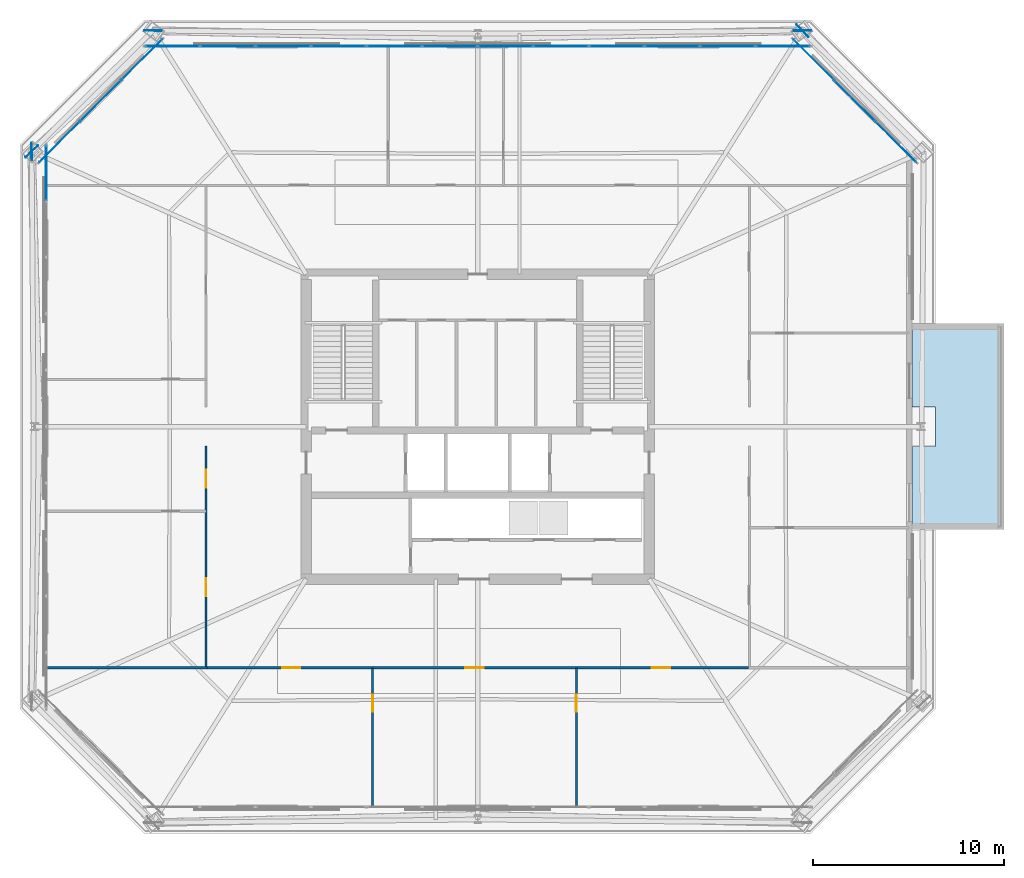
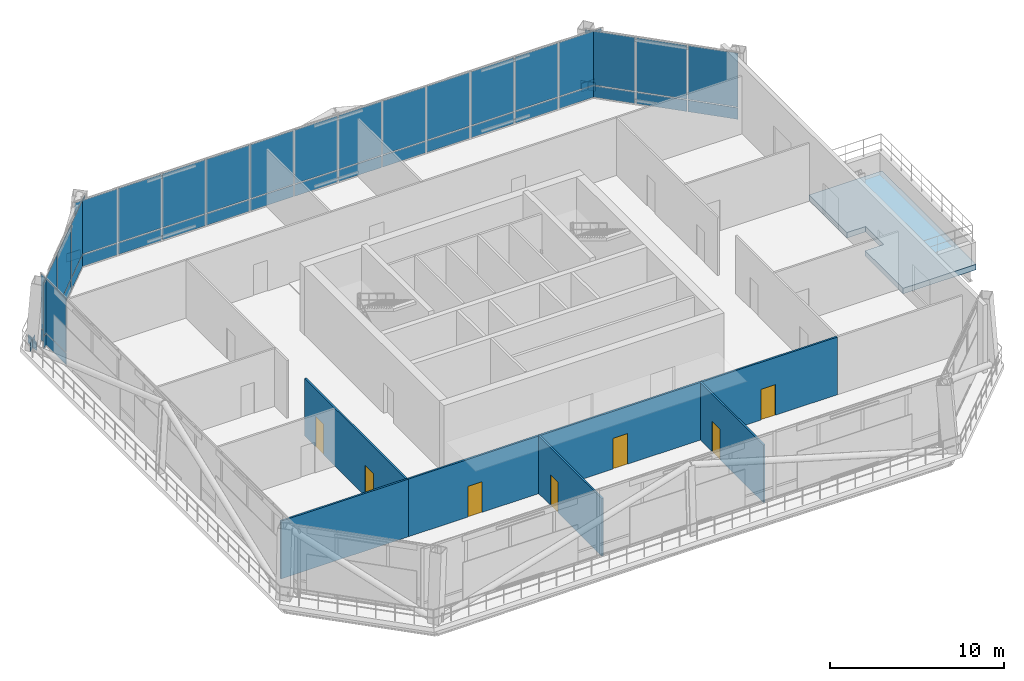
# One storey, part 27 of 34: 43 plates, 7 doors, 5 walls, 1 slab, 7 openings, 4 elements without a shape of their own.
"""IFC4 building model written with IfcOpenShell, lengths in metres."""

from ifc_helpers import new_model, si_unit, direction, frame, frame_2d, origin, origin_2d, place, context, subcontext, project, spatial, polyline, rectangle, outline, extrude, material, layer, layer_set, type_object, element, fill, aggregate, save


model = new_model("IFC4")

# Units and contexts
model_context = context("Model", 3, precision=1e-05, world=origin(), true_north=direction((0.0, 1.0)))
body_context = subcontext(model_context, "Body", "Model", "MODEL_VIEW")
ifc_project = project(units=[si_unit("LENGTHUNIT", "METRE"), si_unit("AREAUNIT", "SQUARE_METRE"), si_unit("VOLUMEUNIT", "CUBIC_METRE"), si_unit("PLANEANGLEUNIT", "RADIAN"), si_unit("MASSUNIT", "GRAM", prefix="KILO")], contexts=[model_context])

# Site, building, storey
site_placement = place(None, origin())
site = spatial("IfcSite", under=ifc_project, at=site_placement, CompositionType="ELEMENT")
building_placement = place(site_placement, origin())
building = spatial("IfcBuilding", under=site, at=building_placement, Name="Caelvoria Tower", CompositionType="ELEMENT")
storey_placement = place(building_placement, frame((0.0, 0.0, 172.0)))
storey = spatial("IfcBuildingStorey", under=building, at=storey_placement, Name="L45", CompositionType="ELEMENT", Elevation=172.0)

# Slab
ifc_material_1 = material(Name="Concrete C50/60", Category="concrete")
ifc_layer_1 = layer(ifc_material_1, 0.3798828125, Name="Concrete C50/60")
ifc_layer_set_1 = layer_set([ifc_layer_1], Name="Cantilevered Sky Pool Basin Slab 380 - Concrete C50/60")
slab_type = type_object("IfcSlabType", Name="Cantilevered Sky Pool Basin Slab 380", PredefinedType="FLOOR", material=ifc_layer_set_1)
slab_placement = place(storey_placement, frame((0.0, 0.0, -0.3798828125)))
element("IfcSlab", 1, at=slab_placement, inside=storey, type_object=slab_type, Name="Level L45 Cantilevered Sky Pool Deck Slab", PredefinedType="FLOOR", context=body_context, shape_type="SweptSolid", body=[
    extrude(outline(polyline([(70.02001953125, 37.39990234375), (68.780029296875, 37.39990234375), (68.780029296875, 33.0400390625), (70.02001953125, 33.0400390625), (70.02001953125, 30.9599609375), (68.780029296875, 30.9599609375), (68.780029296875, 26.60009765625), (70.02001953125, 26.60009765625), (73.6201171875, 26.60009765625), (73.6201171875, 37.39990234375), (70.02001953125, 37.39990234375)])), origin(), (0.0, 0.0, 1.0), 0.3798828125),
])

# Curtain wall, plates
ifc_material_2 = material(Name="Anodised Bronze Aluminium and Low-E Glass", Category="aluminium")
ifc_layer_2 = layer(ifc_material_2, 0.2099609375, Name="Anodised Bronze Aluminium and Low-E Glass")
ifc_layer_set_2 = layer_set([ifc_layer_2], Name="CW System 3 Sky Lobby Double-Height Acoustic Facade - Anodised Bronze Aluminium and Low-E Glass")
curtain_wall_type = type_object("IfcCurtainWallType", Name="CW System 3 Sky Lobby Double-Height Acoustic Facade", PredefinedType="NOTDEFINED", material=ifc_layer_set_2)
curtain_wall_1_placement = place(storey_placement, origin())
curtain_wall_1 = element("IfcCurtainWall", 2, at=curtain_wall_1_placement, inside=storey, type_object=curtain_wall_type, Name="CW-03 Curtain Wall L45-E3", PredefinedType="NOTDEFINED")
ifc_material_3 = material(Name="Anodised Bronze Insulated Aluminium Panel", Category="aluminium")
ifc_layer_3 = layer(ifc_material_3, 0.031982421875, Name="Anodised Bronze Insulated Aluminium Panel")
ifc_layer_set_3 = layer_set([ifc_layer_3], Name="Insulated Bronze Spandrel Curtain Panel 32 - Anodised Bronze Insulated Aluminium Panel")
plate_type_1 = type_object("IfcPlateType", Name="Insulated Bronze Spandrel Curtain Panel 32", PredefinedType="CURTAIN_PANEL", material=ifc_layer_set_3)
plate_1_placement = place(storey_placement, frame((67.945068359375, 46.943359375, 0.06494140625), z_axis=(0.0, 0.0, 1.0), x_axis=(-0.707106781187, 0.707106781187, 0.0)))
plate_1 = element("IfcPlate", 3, at=plate_1_placement, type_object=plate_type_1, Name="CW-03 panel 1.1", PredefinedType="CURTAIN_PANEL", context=body_context, shape_type="SweptSolid", body=[
    extrude(rectangle(XDim=2.968505859375, YDim=0.031982421875, at=origin_2d()), origin(), (0.0, 0.0, 1.0), 0.802490234375),
])
plate_2_placement = place(storey_placement, frame((67.945068359375, 46.943359375, 0.9326171875), z_axis=(0.0, 0.0, 1.0), x_axis=(-0.707106781187, 0.707106781187, 0.0)))
plate_2 = element("IfcPlate", 4, at=plate_2_placement, type_object=plate_type_1, Name="CW-03 panel 1.2", PredefinedType="CURTAIN_PANEL", context=body_context, shape_type="SweptSolid", body=[
    extrude(rectangle(XDim=2.968505859375, YDim=0.031982421875, at=origin_2d()), origin(), (0.0, 0.0, 1.0), 3.762451171875),
])
plate_3_placement = place(storey_placement, frame((65.7841796875, 49.104248046875, 0.06494140625), z_axis=(0.0, 0.0, 1.0), x_axis=(-0.707106781187, 0.707106781187, 0.0)))
plate_3 = element("IfcPlate", 5, at=plate_3_placement, type_object=plate_type_1, Name="CW-03 panel 2.1", PredefinedType="CURTAIN_PANEL", context=body_context, shape_type="SweptSolid", body=[
    extrude(rectangle(XDim=3.003662109375, YDim=0.031982421875, at=origin_2d()), origin(), (0.0, 0.0, 1.0), 0.802490234375),
])
plate_4_placement = place(storey_placement, frame((65.7841796875, 49.104248046875, 0.9326171875), z_axis=(0.0, 0.0, 1.0), x_axis=(-0.707106781187, 0.707106781187, 0.0)))
plate_4 = element("IfcPlate", 6, at=plate_4_placement, type_object=plate_type_1, Name="CW-03 panel 2.2", PredefinedType="CURTAIN_PANEL", context=body_context, shape_type="SweptSolid", body=[
    extrude(rectangle(XDim=3.003662109375, YDim=0.031982421875, at=origin_2d()), origin(), (0.0, 0.0, 1.0), 3.762451171875),
])
plate_5_placement = place(storey_placement, frame((63.623291015625, 51.26513671875, 0.06494140625), z_axis=(0.0, 0.0, 1.0), x_axis=(-0.707106781187, 0.707106781187, 0.0)))
plate_5 = element("IfcPlate", 7, at=plate_5_placement, type_object=plate_type_1, Name="CW-03 panel 3.1", PredefinedType="CURTAIN_PANEL", context=body_context, shape_type="SweptSolid", body=[
    extrude(rectangle(XDim=2.968505859375, YDim=0.031982421875, at=origin_2d()), origin(), (0.0, 0.0, 1.0), 0.802490234375),
])
plate_6_placement = place(storey_placement, frame((63.623291015625, 51.26513671875, 0.9326171875), z_axis=(0.0, 0.0, 1.0), x_axis=(-0.707106781187, 0.707106781187, 0.0)))
plate_6 = element("IfcPlate", 8, at=plate_6_placement, type_object=plate_type_1, Name="CW-03 panel 3.2", PredefinedType="CURTAIN_PANEL", context=body_context, shape_type="SweptSolid", body=[
    extrude(rectangle(XDim=2.968505859375, YDim=0.031982421875, at=origin_2d()), origin(), (0.0, 0.0, 1.0), 3.762451171875),
])
aggregate(curtain_wall_1, [plate_1, plate_2, plate_3, plate_4, plate_5, plate_6])

curtain_wall_2_placement = place(storey_placement, origin())
curtain_wall_2 = element("IfcCurtainWall", 9, at=curtain_wall_2_placement, inside=storey, type_object=curtain_wall_type, Name="CW-03 Curtain Wall L45-E4", PredefinedType="NOTDEFINED")
plate_7_placement = place(storey_placement, frame((62.024169921875, 51.9599609375, 0.06494140625), z_axis=(0.0, 0.0, 1.0), x_axis=(-1.0, 0.0, 0.0)))
plate_7 = element("IfcPlate", 10, at=plate_7_placement, type_object=plate_type_1, Name="CW-03 panel 1.1", PredefinedType="CURTAIN_PANEL", context=body_context, shape_type="SweptSolid", body=[
    extrude(rectangle(XDim=2.811767578125, YDim=0.031982421875, at=origin_2d()), origin(), (0.0, 0.0, 1.0), 0.802490234375),
])
plate_8_placement = place(storey_placement, frame((62.024169921875, 51.9599609375, 0.9326171875), z_axis=(0.0, 0.0, 1.0), x_axis=(-1.0, 0.0, 0.0)))
plate_8 = element("IfcPlate", 11, at=plate_8_placement, type_object=plate_type_1, Name="CW-03 panel 1.2", PredefinedType="CURTAIN_PANEL", context=body_context, shape_type="SweptSolid", body=[
    extrude(rectangle(XDim=2.811767578125, YDim=0.031982421875, at=origin_2d()), origin(), (0.0, 0.0, 1.0), 3.762451171875),
])
plate_9_placement = place(storey_placement, frame((59.125, 51.9599609375, 0.06494140625), z_axis=(0.0, 0.0, 1.0), x_axis=(-1.0, 0.0, 0.0)))
plate_9 = element("IfcPlate", 12, at=plate_9_placement, type_object=plate_type_1, Name="CW-03 panel 2.1", PredefinedType="CURTAIN_PANEL", context=body_context, shape_type="SweptSolid", body=[
    extrude(rectangle(XDim=2.8466796875, YDim=0.031982421875, at=origin_2d()), origin(), (0.0, 0.0, 1.0), 0.802490234375),
])
plate_10_placement = place(storey_placement, frame((59.125, 51.9599609375, 0.9326171875), z_axis=(0.0, 0.0, 1.0), x_axis=(-1.0, 0.0, 0.0)))
plate_10 = element("IfcPlate", 13, at=plate_10_placement, type_object=plate_type_1, Name="CW-03 panel 2.2", PredefinedType="CURTAIN_PANEL", context=body_context, shape_type="SweptSolid", body=[
    extrude(rectangle(XDim=2.8466796875, YDim=0.031982421875, at=origin_2d()), origin(), (0.0, 0.0, 1.0), 3.762451171875),
])
plate_11_placement = place(storey_placement, frame((56.208251953125, 51.9599609375, 0.06494140625), z_axis=(0.0, 0.0, 1.0), x_axis=(-1.0, 0.0, 0.0)))
plate_11 = element("IfcPlate", 14, at=plate_11_placement, type_object=plate_type_1, Name="CW-03 panel 3.1", PredefinedType="CURTAIN_PANEL", context=body_context, shape_type="SweptSolid", body=[
    extrude(rectangle(XDim=2.8466796875, YDim=0.031982421875, at=origin_2d()), origin(), (0.0, 0.0, 1.0), 0.802490234375),
])
plate_12_placement = place(storey_placement, frame((56.208251953125, 51.9599609375, 0.9326171875), z_axis=(0.0, 0.0, 1.0), x_axis=(-1.0, 0.0, 0.0)))
plate_12 = element("IfcPlate", 15, at=plate_12_placement, type_object=plate_type_1, Name="CW-03 panel 3.2", PredefinedType="CURTAIN_PANEL", context=body_context, shape_type="SweptSolid", body=[
    extrude(rectangle(XDim=2.8466796875, YDim=0.031982421875, at=origin_2d()), origin(), (0.0, 0.0, 1.0), 3.762451171875),
])
plate_13_placement = place(storey_placement, frame((53.291748046875, 51.9599609375, 0.06494140625), z_axis=(0.0, 0.0, 1.0), x_axis=(-1.0, 0.0, 0.0)))
plate_13 = element("IfcPlate", 16, at=plate_13_placement, type_object=plate_type_1, Name="CW-03 panel 4.1", PredefinedType="CURTAIN_PANEL", context=body_context, shape_type="SweptSolid", body=[
    extrude(rectangle(XDim=2.8466796875, YDim=0.031982421875, at=origin_2d()), origin(), (0.0, 0.0, 1.0), 0.802490234375),
])
plate_14_placement = place(storey_placement, frame((53.291748046875, 51.9599609375, 0.9326171875), z_axis=(0.0, 0.0, 1.0), x_axis=(-1.0, 0.0, 0.0)))
plate_14 = element("IfcPlate", 17, at=plate_14_placement, type_object=plate_type_1, Name="CW-03 panel 4.2", PredefinedType="CURTAIN_PANEL", context=body_context, shape_type="SweptSolid", body=[
    extrude(rectangle(XDim=2.8466796875, YDim=0.031982421875, at=origin_2d()), origin(), (0.0, 0.0, 1.0), 3.762451171875),
])
plate_15_placement = place(storey_placement, frame((50.375, 51.9599609375, 0.06494140625), z_axis=(0.0, 0.0, 1.0), x_axis=(-1.0, 0.0, 0.0)))
plate_15 = element("IfcPlate", 18, at=plate_15_placement, type_object=plate_type_1, Name="CW-03 panel 5.1", PredefinedType="CURTAIN_PANEL", context=body_context, shape_type="SweptSolid", body=[
    extrude(rectangle(XDim=2.8466796875, YDim=0.031982421875, at=origin_2d()), origin(), (0.0, 0.0, 1.0), 0.802490234375),
])
plate_16_placement = place(storey_placement, frame((50.375, 51.9599609375, 0.9326171875), z_axis=(0.0, 0.0, 1.0), x_axis=(-1.0, 0.0, 0.0)))
plate_16 = element("IfcPlate", 19, at=plate_16_placement, type_object=plate_type_1, Name="CW-03 panel 5.2", PredefinedType="CURTAIN_PANEL", context=body_context, shape_type="SweptSolid", body=[
    extrude(rectangle(XDim=2.8466796875, YDim=0.031982421875, at=origin_2d()), origin(), (0.0, 0.0, 1.0), 3.762451171875),
])
plate_17_placement = place(storey_placement, frame((47.458251953125, 51.9599609375, 0.06494140625), z_axis=(0.0, 0.0, 1.0), x_axis=(-1.0, 0.0, 0.0)))
plate_17 = element("IfcPlate", 20, at=plate_17_placement, type_object=plate_type_1, Name="CW-03 panel 6.1", PredefinedType="CURTAIN_PANEL", context=body_context, shape_type="SweptSolid", body=[
    extrude(rectangle(XDim=2.8466796875, YDim=0.031982421875, at=origin_2d()), origin(), (0.0, 0.0, 1.0), 0.802490234375),
])
plate_18_placement = place(storey_placement, frame((47.458251953125, 51.9599609375, 0.9326171875), z_axis=(0.0, 0.0, 1.0), x_axis=(-1.0, 0.0, 0.0)))
plate_18 = element("IfcPlate", 21, at=plate_18_placement, type_object=plate_type_1, Name="CW-03 panel 6.2", PredefinedType="CURTAIN_PANEL", context=body_context, shape_type="SweptSolid", body=[
    extrude(rectangle(XDim=2.8466796875, YDim=0.031982421875, at=origin_2d()), origin(), (0.0, 0.0, 1.0), 3.762451171875),
])
plate_19_placement = place(storey_placement, frame((44.541748046875, 51.9599609375, 0.06494140625), z_axis=(0.0, 0.0, 1.0), x_axis=(-1.0, 0.0, 0.0)))
plate_19 = element("IfcPlate", 22, at=plate_19_placement, type_object=plate_type_1, Name="CW-03 panel 7.1", PredefinedType="CURTAIN_PANEL", context=body_context, shape_type="SweptSolid", body=[
    extrude(rectangle(XDim=2.8466796875, YDim=0.031982421875, at=origin_2d()), origin(), (0.0, 0.0, 1.0), 0.802490234375),
])
plate_20_placement = place(storey_placement, frame((44.541748046875, 51.9599609375, 0.9326171875), z_axis=(0.0, 0.0, 1.0), x_axis=(-1.0, 0.0, 0.0)))
plate_20 = element("IfcPlate", 23, at=plate_20_placement, type_object=plate_type_1, Name="CW-03 panel 7.2", PredefinedType="CURTAIN_PANEL", context=body_context, shape_type="SweptSolid", body=[
    extrude(rectangle(XDim=2.8466796875, YDim=0.031982421875, at=origin_2d()), origin(), (0.0, 0.0, 1.0), 3.762451171875),
])
plate_21_placement = place(storey_placement, frame((41.625, 51.9599609375, 0.06494140625), z_axis=(0.0, 0.0, 1.0), x_axis=(-1.0, 0.0, 0.0)))
plate_21 = element("IfcPlate", 24, at=plate_21_placement, type_object=plate_type_1, Name="CW-03 panel 8.1", PredefinedType="CURTAIN_PANEL", context=body_context, shape_type="SweptSolid", body=[
    extrude(rectangle(XDim=2.8466796875, YDim=0.031982421875, at=origin_2d()), origin(), (0.0, 0.0, 1.0), 0.802490234375),
])
plate_22_placement = place(storey_placement, frame((41.625, 51.9599609375, 0.9326171875), z_axis=(0.0, 0.0, 1.0), x_axis=(-1.0, 0.0, 0.0)))
plate_22 = element("IfcPlate", 25, at=plate_22_placement, type_object=plate_type_1, Name="CW-03 panel 8.2", PredefinedType="CURTAIN_PANEL", context=body_context, shape_type="SweptSolid", body=[
    extrude(rectangle(XDim=2.8466796875, YDim=0.031982421875, at=origin_2d()), origin(), (0.0, 0.0, 1.0), 3.762451171875),
])
plate_23_placement = place(storey_placement, frame((38.708251953125, 51.9599609375, 0.06494140625), z_axis=(0.0, 0.0, 1.0), x_axis=(-1.0, 0.0, 0.0)))
plate_23 = element("IfcPlate", 26, at=plate_23_placement, type_object=plate_type_1, Name="CW-03 panel 9.1", PredefinedType="CURTAIN_PANEL", context=body_context, shape_type="SweptSolid", body=[
    extrude(rectangle(XDim=2.8466796875, YDim=0.031982421875, at=origin_2d()), origin(), (0.0, 0.0, 1.0), 0.802490234375),
])
plate_24_placement = place(storey_placement, frame((38.708251953125, 51.9599609375, 0.9326171875), z_axis=(0.0, 0.0, 1.0), x_axis=(-1.0, 0.0, 0.0)))
plate_24 = element("IfcPlate", 27, at=plate_24_placement, type_object=plate_type_1, Name="CW-03 panel 9.2", PredefinedType="CURTAIN_PANEL", context=body_context, shape_type="SweptSolid", body=[
    extrude(rectangle(XDim=2.8466796875, YDim=0.031982421875, at=origin_2d()), origin(), (0.0, 0.0, 1.0), 3.762451171875),
])
plate_25_placement = place(storey_placement, frame((35.791748046875, 51.9599609375, 0.06494140625), z_axis=(0.0, 0.0, 1.0), x_axis=(-1.0, 0.0, 0.0)))
plate_25 = element("IfcPlate", 28, at=plate_25_placement, type_object=plate_type_1, Name="CW-03 panel 10.1", PredefinedType="CURTAIN_PANEL", context=body_context, shape_type="SweptSolid", body=[
    extrude(rectangle(XDim=2.8466796875, YDim=0.031982421875, at=origin_2d()), origin(), (0.0, 0.0, 1.0), 0.802490234375),
])
plate_26_placement = place(storey_placement, frame((35.791748046875, 51.9599609375, 0.9326171875), z_axis=(0.0, 0.0, 1.0), x_axis=(-1.0, 0.0, 0.0)))
plate_26 = element("IfcPlate", 29, at=plate_26_placement, type_object=plate_type_1, Name="CW-03 panel 10.2", PredefinedType="CURTAIN_PANEL", context=body_context, shape_type="SweptSolid", body=[
    extrude(rectangle(XDim=2.8466796875, YDim=0.031982421875, at=origin_2d()), origin(), (0.0, 0.0, 1.0), 3.762451171875),
])
plate_27_placement = place(storey_placement, frame((32.875, 51.9599609375, 0.06494140625), z_axis=(0.0, 0.0, 1.0), x_axis=(-1.0, 0.0, 0.0)))
plate_27 = element("IfcPlate", 30, at=plate_27_placement, type_object=plate_type_1, Name="CW-03 panel 11.1", PredefinedType="CURTAIN_PANEL", context=body_context, shape_type="SweptSolid", body=[
    extrude(rectangle(XDim=2.8466796875, YDim=0.031982421875, at=origin_2d()), origin(), (0.0, 0.0, 1.0), 0.802490234375),
])
plate_28_placement = place(storey_placement, frame((32.875, 51.9599609375, 0.9326171875), z_axis=(0.0, 0.0, 1.0), x_axis=(-1.0, 0.0, 0.0)))
plate_28 = element("IfcPlate", 31, at=plate_28_placement, type_object=plate_type_1, Name="CW-03 panel 11.2", PredefinedType="CURTAIN_PANEL", context=body_context, shape_type="SweptSolid", body=[
    extrude(rectangle(XDim=2.8466796875, YDim=0.031982421875, at=origin_2d()), origin(), (0.0, 0.0, 1.0), 3.762451171875),
])
plate_29_placement = place(storey_placement, frame((29.975830078125, 51.9599609375, 0.06494140625), z_axis=(0.0, 0.0, 1.0), x_axis=(-1.0, 0.0, 0.0)))
plate_29 = element("IfcPlate", 32, at=plate_29_placement, type_object=plate_type_1, Name="CW-03 panel 12.1", PredefinedType="CURTAIN_PANEL", context=body_context, shape_type="SweptSolid", body=[
    extrude(rectangle(XDim=2.811767578125, YDim=0.031982421875, at=origin_2d()), origin(), (0.0, 0.0, 1.0), 0.802490234375),
])
plate_30_placement = place(storey_placement, frame((29.975830078125, 51.9599609375, 0.9326171875), z_axis=(0.0, 0.0, 1.0), x_axis=(-1.0, 0.0, 0.0)))
plate_30 = element("IfcPlate", 33, at=plate_30_placement, type_object=plate_type_1, Name="CW-03 panel 12.2", PredefinedType="CURTAIN_PANEL", context=body_context, shape_type="SweptSolid", body=[
    extrude(rectangle(XDim=2.811767578125, YDim=0.031982421875, at=origin_2d()), origin(), (0.0, 0.0, 1.0), 3.762451171875),
])
aggregate(curtain_wall_2, [plate_7, plate_8, plate_9, plate_10, plate_11, plate_12, plate_13, plate_14, plate_15, plate_16, plate_17, plate_18, plate_19, plate_20, plate_21, plate_22, plate_23, plate_24, plate_25, plate_26, plate_27, plate_28, plate_29, plate_30])

curtain_wall_3_placement = place(storey_placement, origin())
curtain_wall_3 = element("IfcCurtainWall", 34, at=curtain_wall_3_placement, inside=storey, type_object=curtain_wall_type, Name="CW-03 Curtain Wall L45-E5", PredefinedType="NOTDEFINED")
plate_31_placement = place(storey_placement, frame((28.376708984375, 51.26513671875, 0.06494140625), z_axis=(0.0, 0.0, 1.0), x_axis=(-0.707106781187, -0.707106781187, 0.0)))
plate_31 = element("IfcPlate", 35, at=plate_31_placement, type_object=plate_type_1, Name="CW-03 panel 1.1", PredefinedType="CURTAIN_PANEL", context=body_context, shape_type="SweptSolid", body=[
    extrude(rectangle(XDim=2.968505859375, YDim=0.031982421875, at=origin_2d()), origin(), (0.0, 0.0, 1.0), 0.802490234375),
])
plate_32_placement = place(storey_placement, frame((28.376708984375, 51.26513671875, 0.9326171875), z_axis=(0.0, 0.0, 1.0), x_axis=(-0.707106781187, -0.707106781187, 0.0)))
plate_32 = element("IfcPlate", 36, at=plate_32_placement, type_object=plate_type_1, Name="CW-03 panel 1.2", PredefinedType="CURTAIN_PANEL", context=body_context, shape_type="SweptSolid", body=[
    extrude(rectangle(XDim=2.968505859375, YDim=0.031982421875, at=origin_2d()), origin(), (0.0, 0.0, 1.0), 3.762451171875),
])
plate_33_placement = place(storey_placement, frame((26.2158203125, 49.104248046875, 0.06494140625), z_axis=(0.0, 0.0, 1.0), x_axis=(-0.707106781187, -0.707106781187, 0.0)))
plate_33 = element("IfcPlate", 37, at=plate_33_placement, type_object=plate_type_1, Name="CW-03 panel 2.1", PredefinedType="CURTAIN_PANEL", context=body_context, shape_type="SweptSolid", body=[
    extrude(rectangle(XDim=3.003662109375, YDim=0.031982421875, at=origin_2d()), origin(), (0.0, 0.0, 1.0), 0.802490234375),
])
plate_34_placement = place(storey_placement, frame((26.2158203125, 49.104248046875, 0.9326171875), z_axis=(0.0, 0.0, 1.0), x_axis=(-0.707106781187, -0.707106781187, 0.0)))
plate_34 = element("IfcPlate", 38, at=plate_34_placement, type_object=plate_type_1, Name="CW-03 panel 2.2", PredefinedType="CURTAIN_PANEL", context=body_context, shape_type="SweptSolid", body=[
    extrude(rectangle(XDim=3.003662109375, YDim=0.031982421875, at=origin_2d()), origin(), (0.0, 0.0, 1.0), 3.762451171875),
])
plate_35_placement = place(storey_placement, frame((24.054931640625, 46.943359375, 0.06494140625), z_axis=(0.0, 0.0, 1.0), x_axis=(-0.707106781187, -0.707106781187, 0.0)))
plate_35 = element("IfcPlate", 39, at=plate_35_placement, type_object=plate_type_1, Name="CW-03 panel 3.1", PredefinedType="CURTAIN_PANEL", context=body_context, shape_type="SweptSolid", body=[
    extrude(rectangle(XDim=2.968505859375, YDim=0.031982421875, at=origin_2d()), origin(), (0.0, 0.0, 1.0), 0.802490234375),
])
plate_36_placement = place(storey_placement, frame((24.054931640625, 46.943359375, 0.9326171875), z_axis=(0.0, 0.0, 1.0), x_axis=(-0.707106781187, -0.707106781187, 0.0)))
plate_36 = element("IfcPlate", 40, at=plate_36_placement, type_object=plate_type_1, Name="CW-03 panel 3.2", PredefinedType="CURTAIN_PANEL", context=body_context, shape_type="SweptSolid", body=[
    extrude(rectangle(XDim=2.968505859375, YDim=0.031982421875, at=origin_2d()), origin(), (0.0, 0.0, 1.0), 3.762451171875),
])
aggregate(curtain_wall_3, [plate_31, plate_32, plate_33, plate_34, plate_35, plate_36])

curtain_wall_4_placement = place(storey_placement, origin())
curtain_wall_4 = element("IfcCurtainWall", 41, at=curtain_wall_4_placement, inside=storey, type_object=curtain_wall_type, Name="CW-03 Curtain Wall L45-E6", PredefinedType="NOTDEFINED")
plate_37_placement = place(storey_placement, frame((23.360107421875, 45.320556640625, 0.06494140625), z_axis=(0.0, 0.0, 1.0), x_axis=(0.0, -1.0, 0.0)))
plate_37 = element("IfcPlate", 42, at=plate_37_placement, type_object=plate_type_1, Name="CW-03 panel 1.1", PredefinedType="CURTAIN_PANEL", context=body_context, shape_type="SweptSolid", body=[
    extrude(rectangle(XDim=2.85888671875, YDim=0.031982421875, at=origin_2d()), origin(), (0.0, 0.0, 1.0), 0.802490234375),
])
plate_38_placement = place(storey_placement, frame((23.360107421875, 45.320556640625, 0.9326171875), z_axis=(0.0, 0.0, 1.0), x_axis=(0.0, -1.0, 0.0)))
plate_38 = element("IfcPlate", 43, at=plate_38_placement, type_object=plate_type_1, Name="CW-03 panel 1.2", PredefinedType="CURTAIN_PANEL", context=body_context, shape_type="SweptSolid", body=[
    extrude(rectangle(XDim=2.85888671875, YDim=0.031982421875, at=origin_2d()), origin(), (0.0, 0.0, 1.0), 3.762451171875),
])
aggregate(curtain_wall_4, [plate_37, plate_38])

# Plates
ifc_material_4 = material(Name="Structural Steel ASTM A572 Gr.50", Category="steel")
ifc_layer_4 = layer(ifc_material_4, 0.0400390625, Name="Structural Steel ASTM A572 Gr.50")
ifc_layer_set_4 = layer_set([ifc_layer_4], Name="Megaframe Node Gusset Plate 900x600x40 - Structural Steel ASTM A572 Gr.50")
plate_type_2 = type_object("IfcPlateType", Name="Megaframe Node Gusset Plate 900x600x40", PredefinedType="USERDEFINED", material=ifc_layer_set_4)
for number, where, z_axis, x_axis, name in (
    (44, (63.04345703125, 52.783203125, 0.02001953125), (0.0, 0.0, 1.0), (0.678931461501, -0.734201655259, 0.0), "Chamfer Mega Brace Gusset L45 NE"),
    (45, (22.5927734375, 46.44189453125, 0.02001953125), (0.0, 0.0, 1.0), (0.73643486763, 0.676508452082, 0.0), "Chamfer Mega Brace Gusset L45 NW"),
    (46, (63.04345703125, 52.783203125, 0.050048828125), (0.0, 0.0, 1.0), (-0.999747221312, -0.022483182139, 0.0), "Megaframe Node Gusset Plate ND-04"),
    (47, (28.95654296875, 52.783203125, 0.050048828125), (0.0, 0.0, 1.0), (0.999747221312, -0.022483182139, 0.0), "Megaframe Node Gusset Plate ND-04"),
    (48, (22.5927734375, 46.44189453125, 0.050048828125), (0.0, 0.0, 1.0), (0.025417982777, -0.999676910882, 0.0), "Megaframe Node Gusset Plate ND-04"),
):
    element("IfcPlate", number, at=place(storey_placement, frame(where, z_axis=z_axis, x_axis=x_axis)), inside=storey, type_object=plate_type_2, Name=name, ObjectType="GUSSET_PLATE", PredefinedType="USERDEFINED", context=body_context, shape_type="SweptSolid", body=[
        extrude(rectangle(XDim=0.89990234375, YDim=0.0400390625, at=origin_2d()), origin(), (0.0, 0.0, 1.0), 0.60009765625),
    ])

# Wall, opening, door
ifc_material_5 = material(Name="Acoustic Timber-Clad Operable Panel", Category="wood")
ifc_layer_5 = layer(ifc_material_5, 0.125, Name="Acoustic Timber-Clad Operable Panel")
ifc_layer_set_5 = layer_set([ifc_layer_5], Name="Operable Acoustic Folding Partition Wall 125 - Acoustic Timber-Clad Operable Panel")
wall_type_1 = type_object("IfcWallType", Name="Operable Acoustic Folding Partition Wall 125", PredefinedType="MOVABLE", material=ifc_layer_set_5)
wall_1_placement = place(storey_placement, frame((40.481689453125, 19.340087890625, 0.0), z_axis=(0.0, 0.0, 1.0), x_axis=(0.0, -1.0, 0.0)))
wall_1 = element("IfcWall", 49, at=wall_1_placement, inside=storey, type_object=wall_type_1, Name="Interior Partition IW-L45-SD-00-0", PredefinedType="MOVABLE", context=body_context, shape_type="SweptSolid", body=[
    extrude(rectangle(XDim=7.300048828125, YDim=0.1201171875, at=frame_2d((3.64990234375, 0.0))), origin(), (0.0, 0.0, 1.0), 4.0400390625),
])
opening_1_placement = place(wall_1_placement, frame((1.39990234375, 0.0, 0.0)))
opening_1 = element("IfcOpeningElement", 50, at=opening_1_placement, cuts=wall_1, Name="Opening ID-06", PredefinedType="OPENING", context=body_context, shape_type="SweptSolid", body=[
    extrude(rectangle(XDim=0.89990234375, YDim=2.14990234375, at=frame_2d((0.449951171875, 1.074951171875))), frame((0.0, 0.070068359375, 0.0), z_axis=(0.0, -1.0, 0.0), x_axis=(1.0, 0.0, 0.0)), (0.0, 0.0, 1.0), 0.14013671875),
])
ifc_material_6 = material(Name="Engineered Andean Oak Veneer Door", Category="wood")
door_type_1 = type_object("IfcDoorType", Name="Interior Timber Door 900x2150", OperationType="NOTDEFINED", PredefinedType="DOOR", material=ifc_material_6)
door_1_placement = place(opening_1_placement, origin())
door_1 = element("IfcDoor", 51, at=door_1_placement, inside=storey, type_object=door_type_1, Name="Interior Door DR-L45-SM-00-0", OperationType="SINGLE_SWING_RIGHT", OverallHeight=2.14990234375, OverallWidth=0.89990234375, PredefinedType="DOOR", context=body_context, shape_type="SweptSolid", body=[
    extrude(rectangle(XDim=0.89990234375, YDim=2.14990234375, at=frame_2d((0.449951171875, 1.074951171875))), frame((0.0, 0.02490234375, 0.0), z_axis=(0.0, -1.0, 0.0), x_axis=(1.0, 0.0, 0.0)), (0.0, 0.0, 1.0), 0.050048828125),
])
fill(opening_1, door_1)

ifc_material_7 = material(Name="Acoustic Gypsum Board on Light-Gauge Stud", Category="gypsum")
ifc_layer_6 = layer(ifc_material_7, 0.1201171875, Name="Acoustic Gypsum Board on Light-Gauge Stud")
ifc_layer_set_6 = layer_set([ifc_layer_6], Name="Tenant Suite Acoustic Partition Wall 120 - Acoustic Gypsum Board on Light-Gauge Stud")
wall_type_2 = type_object("IfcWallType", Name="Tenant Suite Acoustic Partition Wall 120", PredefinedType="PARTITIONING", material=ifc_layer_set_6)
wall_2_placement = place(storey_placement, frame((51.183349609375, 19.340087890625, 0.0), z_axis=(0.0, 0.0, 1.0), x_axis=(0.0, -1.0, 0.0)))
wall_2 = element("IfcWall", 52, at=wall_2_placement, inside=storey, type_object=wall_type_2, Name="Interior Partition IW-L45-SD-01-0", PredefinedType="PARTITIONING", context=body_context, shape_type="SweptSolid", body=[
    extrude(rectangle(XDim=7.300048828125, YDim=0.1201171875, at=frame_2d((3.64990234375, 0.0))), origin(), (0.0, 0.0, 1.0), 4.0400390625),
])
opening_2_placement = place(wall_2_placement, frame((1.39990234375, 0.0, 0.0)))
opening_2 = element("IfcOpeningElement", 53, at=opening_2_placement, cuts=wall_2, Name="Opening ID-06", PredefinedType="OPENING", context=body_context, shape_type="SweptSolid", body=[
    extrude(rectangle(XDim=0.89990234375, YDim=2.14990234375, at=frame_2d((0.449951171875, 1.074951171875))), frame((0.0, 0.070068359375, 0.0), z_axis=(0.0, -1.0, 0.0), x_axis=(1.0, 0.0, 0.0)), (0.0, 0.0, 1.0), 0.14013671875),
])
door_2_placement = place(opening_2_placement, origin())
door_2 = element("IfcDoor", 54, at=door_2_placement, inside=storey, type_object=door_type_1, Name="Interior Door DR-L45-SM-01-0", OperationType="SINGLE_SWING_LEFT", OverallHeight=2.14990234375, OverallWidth=0.89990234375, PredefinedType="DOOR", context=body_context, shape_type="SweptSolid", body=[
    extrude(rectangle(XDim=0.89990234375, YDim=2.14990234375, at=frame_2d((0.449951171875, 1.074951171875))), frame((0.0, 0.02490234375, 0.0), z_axis=(0.0, -1.0, 0.0), x_axis=(1.0, 0.0, 0.0)), (0.0, 0.0, 1.0), 0.050048828125),
])
fill(opening_2, door_2)

# Wall, openings, doors
wall_3_placement = place(storey_placement, frame((31.800048828125, 19.340087890625, 0.0), z_axis=(0.0, 0.0, 1.0), x_axis=(1.0, 0.0, 0.0)))
wall_3 = element("IfcWall", 55, at=wall_3_placement, inside=storey, type_object=wall_type_2, Name="Interior Partition IW-L45-SCW-0", PredefinedType="PARTITIONING", context=body_context, shape_type="SweptSolid", body=[
    extrude(rectangle(XDim=28.39990234375, YDim=0.1201171875, at=frame_2d((14.199951171875, 0.0))), origin(), (0.0, 0.0, 1.0), 4.0400390625),
])
opening_3_placement = place(wall_3_placement, frame((3.935791015625, 0.0, 0.0)))
opening_3 = element("IfcOpeningElement", 56, at=opening_3_placement, cuts=wall_3, Name="Opening ID-05", PredefinedType="OPENING", context=body_context, shape_type="SweptSolid", body=[
    extrude(rectangle(XDim=0.949951171875, YDim=2.14990234375, at=frame_2d((0.47509765625, 1.074951171875))), frame((0.0, 0.070068359375, 0.0), z_axis=(0.0, -1.0, 0.0), x_axis=(1.0, 0.0, 0.0)), (0.0, 0.0, 1.0), 0.14013671875),
])
opening_4_placement = place(wall_3_placement, frame((13.5576171875, 0.0, 0.0)))
opening_4 = element("IfcOpeningElement", 57, at=opening_4_placement, cuts=wall_3, Name="Opening ID-05", PredefinedType="OPENING", context=body_context, shape_type="SweptSolid", body=[
    extrude(rectangle(XDim=0.949951171875, YDim=2.14990234375, at=frame_2d((0.47509765625, 1.074951171875))), frame((0.0, 0.070068359375, 0.0), z_axis=(0.0, -1.0, 0.0), x_axis=(1.0, 0.0, 0.0)), (0.0, 0.0, 1.0), 0.14013671875),
])
opening_5_placement = place(wall_3_placement, frame((23.3466796875, 0.0, 0.0)))
opening_5 = element("IfcOpeningElement", 58, at=opening_5_placement, cuts=wall_3, Name="Opening ID-05", PredefinedType="OPENING", context=body_context, shape_type="SweptSolid", body=[
    extrude(rectangle(XDim=0.949951171875, YDim=2.14990234375, at=frame_2d((0.47509765625, 1.074951171875))), frame((0.0, 0.070068359375, 0.0), z_axis=(0.0, -1.0, 0.0), x_axis=(1.0, 0.0, 0.0)), (0.0, 0.0, 1.0), 0.14013671875),
])
door_type_2 = type_object("IfcDoorType", Name="Interior Timber Door 950x2150", OperationType="NOTDEFINED", PredefinedType="DOOR", material=ifc_material_6)
door_3_placement = place(opening_3_placement, origin())
door_3 = element("IfcDoor", 59, at=door_3_placement, inside=storey, type_object=door_type_2, Name="Interior Door DR-L45-SC-00-0", OperationType="SINGLE_SWING_RIGHT", OverallHeight=2.14990234375, OverallWidth=0.949951171875, PredefinedType="DOOR", context=body_context, shape_type="SweptSolid", body=[
    extrude(rectangle(XDim=0.949951171875, YDim=2.14990234375, at=frame_2d((0.47509765625, 1.074951171875))), frame((0.0, 0.02490234375, 0.0), z_axis=(0.0, -1.0, 0.0), x_axis=(1.0, 0.0, 0.0)), (0.0, 0.0, 1.0), 0.050048828125),
])
fill(opening_3, door_3)
door_4_placement = place(opening_4_placement, origin())
door_4 = element("IfcDoor", 60, at=door_4_placement, inside=storey, type_object=door_type_2, Name="Interior Door DR-L45-SC-01-0", OperationType="SINGLE_SWING_LEFT", OverallHeight=2.14990234375, OverallWidth=0.949951171875, PredefinedType="DOOR", context=body_context, shape_type="SweptSolid", body=[
    extrude(rectangle(XDim=0.949951171875, YDim=2.14990234375, at=frame_2d((0.47509765625, 1.074951171875))), frame((0.0, 0.02490234375, 0.0), z_axis=(0.0, -1.0, 0.0), x_axis=(1.0, 0.0, 0.0)), (0.0, 0.0, 1.0), 0.050048828125),
])
fill(opening_4, door_4)
door_5_placement = place(opening_5_placement, origin())
door_5 = element("IfcDoor", 61, at=door_5_placement, inside=storey, type_object=door_type_2, Name="Interior Door DR-L45-SC-02-0", OperationType="SINGLE_SWING_RIGHT", OverallHeight=2.14990234375, OverallWidth=0.949951171875, PredefinedType="DOOR", context=body_context, shape_type="SweptSolid", body=[
    extrude(rectangle(XDim=0.949951171875, YDim=2.14990234375, at=frame_2d((0.47509765625, 1.074951171875))), frame((0.0, 0.02490234375, 0.0), z_axis=(0.0, -1.0, 0.0), x_axis=(1.0, 0.0, 0.0)), (0.0, 0.0, 1.0), 0.050048828125),
])
fill(opening_5, door_5)

wall_4_placement = place(storey_placement, frame((31.739990234375, 19.39990234375, 0.0), z_axis=(0.0, 0.0, 1.0), x_axis=(0.0, 1.0, 0.0)))
wall_4 = element("IfcWall", 62, at=wall_4_placement, inside=storey, type_object=wall_type_2, Name="Interior Partition IW-L45-WCW-0", PredefinedType="PARTITIONING", context=body_context, shape_type="SweptSolid", body=[
    extrude(rectangle(XDim=11.580078125, YDim=0.1201171875, at=frame_2d((5.7900390625, 0.0))), origin(), (0.0, 0.0, 1.0), 4.0400390625),
])
opening_6_placement = place(wall_4_placement, frame((3.701416015625, 0.0, 0.0)))
opening_6 = element("IfcOpeningElement", 63, at=opening_6_placement, cuts=wall_4, Name="Opening ID-05", PredefinedType="OPENING", context=body_context, shape_type="SweptSolid", body=[
    extrude(rectangle(XDim=0.949951171875, YDim=2.14990234375, at=frame_2d((0.47509765625, 1.074951171875))), frame((0.0, 0.070068359375, 0.0), z_axis=(0.0, -1.0, 0.0), x_axis=(1.0, 0.0, 0.0)), (0.0, 0.0, 1.0), 0.14013671875),
])
opening_7_placement = place(wall_4_placement, frame((9.391357421875, 0.0, 0.0)))
opening_7 = element("IfcOpeningElement", 64, at=opening_7_placement, cuts=wall_4, Name="Opening ID-05", PredefinedType="OPENING", context=body_context, shape_type="SweptSolid", body=[
    extrude(rectangle(XDim=0.949951171875, YDim=2.14990234375, at=frame_2d((0.47509765625, 1.074951171875))), frame((0.0, 0.070068359375, 0.0), z_axis=(0.0, -1.0, 0.0), x_axis=(1.0, 0.0, 0.0)), (0.0, 0.0, 1.0), 0.14013671875),
])
door_6_placement = place(opening_6_placement, origin())
door_6 = element("IfcDoor", 65, at=door_6_placement, inside=storey, type_object=door_type_2, Name="Interior Door DR-L45-WC-00-0", OperationType="SINGLE_SWING_RIGHT", OverallHeight=2.14990234375, OverallWidth=0.949951171875, PredefinedType="DOOR", context=body_context, shape_type="SweptSolid", body=[
    extrude(rectangle(XDim=0.949951171875, YDim=2.14990234375, at=frame_2d((0.47509765625, 1.074951171875))), frame((0.0, 0.02490234375, 0.0), z_axis=(0.0, -1.0, 0.0), x_axis=(1.0, 0.0, 0.0)), (0.0, 0.0, 1.0), 0.050048828125),
])
fill(opening_6, door_6)
door_7_placement = place(opening_7_placement, origin())
door_7 = element("IfcDoor", 66, at=door_7_placement, inside=storey, type_object=door_type_2, Name="Interior Door DR-L45-WC-01-0", OperationType="SINGLE_SWING_LEFT", OverallHeight=2.14990234375, OverallWidth=0.949951171875, PredefinedType="DOOR", context=body_context, shape_type="SweptSolid", body=[
    extrude(rectangle(XDim=0.949951171875, YDim=2.14990234375, at=frame_2d((0.47509765625, 1.074951171875))), frame((0.0, 0.02490234375, 0.0), z_axis=(0.0, -1.0, 0.0), x_axis=(1.0, 0.0, 0.0)), (0.0, 0.0, 1.0), 0.050048828125),
])
fill(opening_7, door_7)

# Wall
wall_5_placement = place(storey_placement, frame((31.800048828125, 19.340087890625, 0.0), z_axis=(0.0, 0.0, 1.0), x_axis=(-1.0, 0.0, 0.0)))
element("IfcWall", 67, at=wall_5_placement, inside=storey, type_object=wall_type_2, Name="Interior Partition IW-L45-BSW-0", PredefinedType="PARTITIONING", context=body_context, shape_type="SweptSolid", body=[
    extrude(rectangle(XDim=8.43994140625, YDim=0.1201171875, at=frame_2d((4.219970703125, 0.0))), origin(), (0.0, 0.0, 1.0), 4.0400390625),
])

save(model, "model.ifc")
